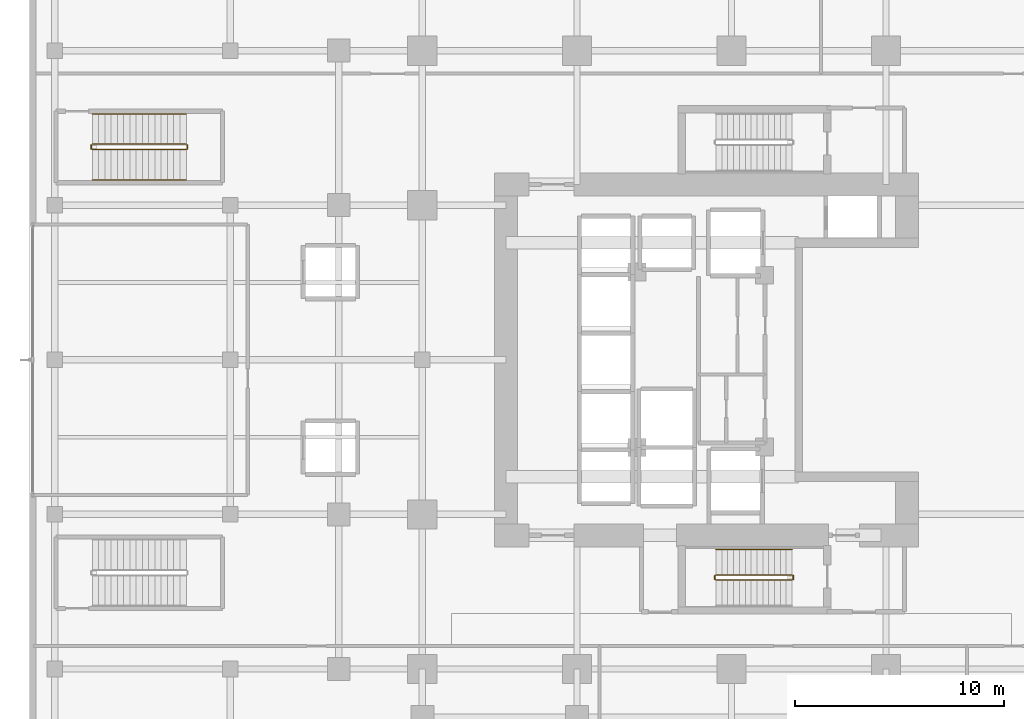
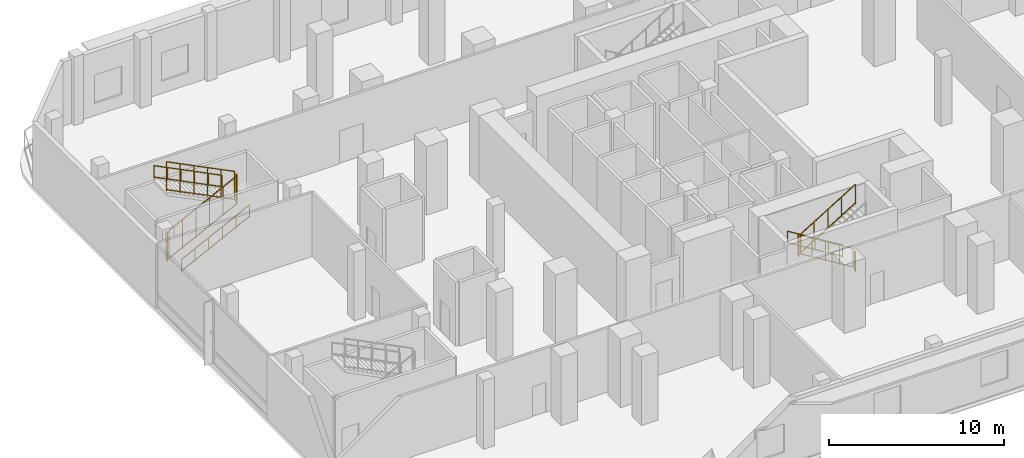
# One storey, part 16 of 19: 11 railings.
"""IFC4 building model written with IfcOpenShell, lengths in metres."""

from ifc_helpers import new_model, si_unit, direction, frame, origin, origin_2d, place, context, subcontext, project, spatial, rectangle, extrude, material, type_object, element, save


model = new_model("IFC4")

# Units and contexts
model_context = context("Model", 3, precision=1e-05, world=origin(), true_north=direction((0.0, 1.0)))
body_context = subcontext(model_context, "Body", "Model", "MODEL_VIEW")
ifc_project = project(units=[si_unit("LENGTHUNIT", "METRE"), si_unit("AREAUNIT", "SQUARE_METRE"), si_unit("VOLUMEUNIT", "CUBIC_METRE"), si_unit("PLANEANGLEUNIT", "RADIAN"), si_unit("MASSUNIT", "GRAM", prefix="KILO")], contexts=[model_context])

# Site, building, storey
site_placement = place(None, origin())
site = spatial("IfcSite", under=ifc_project, at=site_placement, CompositionType="ELEMENT")
building_placement = place(site_placement, origin())
building = spatial("IfcBuilding", under=site, at=building_placement, Name="Khorvyn Point Tower", CompositionType="ELEMENT")
storey_placement = place(building_placement, frame((0.0, 0.0, 21.60009765625)))
storey = spatial("IfcBuildingStorey", under=building, at=storey_placement, Name="L06", CompositionType="ELEMENT", Elevation=21.60009765625)

# Railings
ifc_material = material(Name="Stainless steel 1.4301", Category="steel")
railing_type_1 = type_object("IfcRailingType", Name="Stainless Steel 304 Stair Pitch Handrail 900", PredefinedType="HANDRAIL", material=ifc_material)
railing_1_placement = place(storey_placement, frame((2.89990234375, -9.070068359375, 0.17138671875)))
element("IfcRailing", 1, at=railing_1_placement, inside=storey, type_object=railing_type_1, Name="L06 ST-01 stair handrail 1", PredefinedType="HANDRAIL", context=body_context, shape_type="SweptSolid", body=[
    extrude(rectangle(XDim=0.048095703125, YDim=0.048095703125, at=origin_2d()), frame((0.0, 0.0, 0.8759765625), z_axis=(-0.852850264322, 0.0, 0.5221555579), x_axis=(0.0, -1.0, 0.0)), (0.0, 0.0, 1.0), 4.267822265625),
    extrude(rectangle(XDim=0.048095703125, YDim=0.048095703125, at=origin_2d()), frame((0.0, 0.0, 0.080078125), z_axis=(-0.852850264322, 0.0, 0.5221555579), x_axis=(0.0, -1.0, 0.0)), (0.0, 0.0, 1.0), 4.267822265625),
    extrude(rectangle(XDim=0.0419921875, YDim=0.0419921875, at=origin_2d()), origin(), (0.0, 0.0, 1.0), 0.851806640625),
    extrude(rectangle(XDim=0.0419921875, YDim=0.0419921875, at=origin_2d()), frame((-0.909912109375, 0.0, 0.55712890625)), (0.0, 0.0, 1.0), 0.851806640625),
    extrude(rectangle(XDim=0.0419921875, YDim=0.0419921875, at=origin_2d()), frame((-1.81982421875, 0.0, 1.1142578125)), (0.0, 0.0, 1.0), 0.851806640625),
    extrude(rectangle(XDim=0.0419921875, YDim=0.0419921875, at=origin_2d()), frame((-2.72998046875, 0.0, 1.67138671875)), (0.0, 0.0, 1.0), 0.851806640625),
    extrude(rectangle(XDim=0.0419921875, YDim=0.0419921875, at=origin_2d()), frame((-3.639892578125, 0.0, 2.228515625)), (0.0, 0.0, 1.0), 0.851806640625),
])
railing_2_placement = place(storey_placement, frame((-30.60009765625, 8.610107421875, 0.14990234375)))
element("IfcRailing", 2, at=railing_2_placement, inside=storey, type_object=railing_type_1, Name="L06 ST-S2 stair handrail 1", PredefinedType="HANDRAIL", context=body_context, shape_type="SweptSolid", body=[
    extrude(rectangle(XDim=0.048095703125, YDim=0.048095703125, at=origin_2d()), frame((0.0, 0.0, 0.8759765625), z_axis=(0.894427191, 0.0, 0.4472135955), x_axis=(0.0, 1.0, 0.0)), (0.0, 0.0, 1.0), 5.03125),
    extrude(rectangle(XDim=0.048095703125, YDim=0.048095703125, at=origin_2d()), frame((0.0, 0.0, 0.080078125), z_axis=(0.894427191, 0.0, 0.4472135955), x_axis=(0.0, 1.0, 0.0)), (0.0, 0.0, 1.0), 5.03125),
    extrude(rectangle(XDim=0.0419921875, YDim=0.0419921875, at=origin_2d()), origin(), (0.0, 0.0, 1.0), 0.851806640625),
    extrude(rectangle(XDim=0.0419921875, YDim=0.0419921875, at=origin_2d()), frame((0.89990234375, 0.0, 0.449951171875)), (0.0, 0.0, 1.0), 0.851806640625),
    extrude(rectangle(XDim=0.0419921875, YDim=0.0419921875, at=origin_2d()), frame((1.800048828125, 0.0, 0.89990234375)), (0.0, 0.0, 1.0), 0.851806640625),
    extrude(rectangle(XDim=0.0419921875, YDim=0.0419921875, at=origin_2d()), frame((2.699951171875, 0.0, 1.35009765625)), (0.0, 0.0, 1.0), 0.851806640625),
    extrude(rectangle(XDim=0.0419921875, YDim=0.0419921875, at=origin_2d()), frame((3.60009765625, 0.0, 1.800048828125)), (0.0, 0.0, 1.0), 0.851806640625),
    extrude(rectangle(XDim=0.0419921875, YDim=0.0419921875, at=origin_2d()), frame((4.5, 0.0, 2.25)), (0.0, 0.0, 1.0), 0.851806640625),
])
railing_3_placement = place(storey_placement, frame((-26.10009765625, 11.77001953125, 2.5498046875)))
element("IfcRailing", 3, at=railing_3_placement, inside=storey, type_object=railing_type_1, Name="L06 ST-S2 stair handrail 2", PredefinedType="HANDRAIL", context=body_context, shape_type="SweptSolid", body=[
    extrude(rectangle(XDim=0.048095703125, YDim=0.048095703125, at=origin_2d()), frame((0.0, 0.0, 0.8759765625), z_axis=(-0.894427191, 0.0, 0.4472135955), x_axis=(0.0, -1.0, 0.0)), (0.0, 0.0, 1.0), 5.03125),
    extrude(rectangle(XDim=0.048095703125, YDim=0.048095703125, at=origin_2d()), frame((0.0, 0.0, 0.080078125), z_axis=(-0.894427191, 0.0, 0.4472135955), x_axis=(0.0, -1.0, 0.0)), (0.0, 0.0, 1.0), 5.03125),
    extrude(rectangle(XDim=0.0419921875, YDim=0.0419921875, at=origin_2d()), origin(), (0.0, 0.0, 1.0), 0.851806640625),
    extrude(rectangle(XDim=0.0419921875, YDim=0.0419921875, at=origin_2d()), frame((-0.89990234375, 0.0, 0.449951171875)), (0.0, 0.0, 1.0), 0.851806640625),
    extrude(rectangle(XDim=0.0419921875, YDim=0.0419921875, at=origin_2d()), frame((-1.800048828125, 0.0, 0.89990234375)), (0.0, 0.0, 1.0), 0.851806640625),
    extrude(rectangle(XDim=0.0419921875, YDim=0.0419921875, at=origin_2d()), frame((-2.699951171875, 0.0, 1.35009765625)), (0.0, 0.0, 1.0), 0.851806640625),
    extrude(rectangle(XDim=0.0419921875, YDim=0.0419921875, at=origin_2d()), frame((-3.60009765625, 0.0, 1.800048828125)), (0.0, 0.0, 1.0), 0.851806640625),
    extrude(rectangle(XDim=0.0419921875, YDim=0.0419921875, at=origin_2d()), frame((-4.5, 0.0, 2.25)), (0.0, 0.0, 1.0), 0.851806640625),
])
railing_type_2 = type_object("IfcRailingType", Name="Stainless Steel 304 Stair Well Guardrail 1400", PredefinedType="GUARDRAIL", material=ifc_material)
railing_4_placement = place(storey_placement, frame((2.89990234375, -10.2900390625, 0.17138671875)))
element("IfcRailing", 4, at=railing_4_placement, inside=storey, type_object=railing_type_2, Name="L06 ST-01 stair guard 1", PredefinedType="GUARDRAIL", context=body_context, shape_type="SweptSolid", body=[
    extrude(rectangle(XDim=0.048095703125, YDim=0.048095703125, at=origin_2d()), frame((0.0, 0.0, 1.3759765625), z_axis=(-0.852850264322, 0.0, 0.5221555579), x_axis=(0.0, -1.0, 0.0)), (0.0, 0.0, 1.0), 4.267822265625),
    extrude(rectangle(XDim=0.048095703125, YDim=0.048095703125, at=origin_2d()), frame((0.0, 0.0, 0.080078125), z_axis=(-0.852850264322, 0.0, 0.5221555579), x_axis=(0.0, -1.0, 0.0)), (0.0, 0.0, 1.0), 4.267822265625),
    extrude(rectangle(XDim=0.0419921875, YDim=0.0419921875, at=origin_2d()), origin(), (0.0, 0.0, 1.0), 1.351806640625),
    extrude(rectangle(XDim=0.0419921875, YDim=0.0419921875, at=origin_2d()), frame((-0.909912109375, 0.0, 0.55712890625)), (0.0, 0.0, 1.0), 1.351806640625),
    extrude(rectangle(XDim=0.0419921875, YDim=0.0419921875, at=origin_2d()), frame((-1.81982421875, 0.0, 1.1142578125)), (0.0, 0.0, 1.0), 1.351806640625),
    extrude(rectangle(XDim=0.0419921875, YDim=0.0419921875, at=origin_2d()), frame((-2.72998046875, 0.0, 1.67138671875)), (0.0, 0.0, 1.0), 1.351806640625),
    extrude(rectangle(XDim=0.0419921875, YDim=0.0419921875, at=origin_2d()), frame((-3.639892578125, 0.0, 2.228515625)), (0.0, 0.0, 1.0), 1.351806640625),
])
railing_5_placement = place(storey_placement, frame((-0.7900390625, -10.340087890625, 2.39990234375)))
element("IfcRailing", 5, at=railing_5_placement, inside=storey, type_object=railing_type_2, Name="L06 ST-01 stair guard 2", PredefinedType="GUARDRAIL", context=body_context, shape_type="SweptSolid", body=[
    extrude(rectangle(XDim=0.048095703125, YDim=0.048095703125, at=origin_2d()), frame((0.0, 0.0, 1.3759765625), z_axis=(0.0, -1.0, 0.0), x_axis=(1.0, 0.0, 0.0)), (0.0, 0.0, 1.0), 0.159912109375),
    extrude(rectangle(XDim=0.048095703125, YDim=0.048095703125, at=origin_2d()), frame((0.0, 0.0, 0.080078125), z_axis=(0.0, -1.0, 0.0), x_axis=(1.0, 0.0, 0.0)), (0.0, 0.0, 1.0), 0.159912109375),
    extrude(rectangle(XDim=0.0419921875, YDim=0.0419921875, at=origin_2d()), origin(), (0.0, 0.0, 1.0), 1.351806640625),
    extrude(rectangle(XDim=0.0419921875, YDim=0.0419921875, at=origin_2d()), frame((0.0, -0.159912109375, 0.0)), (0.0, 0.0, 1.0), 1.351806640625),
])
railing_6_placement = place(storey_placement, frame((-0.739990234375, -10.550048828125, 2.5712890625)))
element("IfcRailing", 6, at=railing_6_placement, inside=storey, type_object=railing_type_2, Name="L06 ST-01 stair guard 3", PredefinedType="GUARDRAIL", context=body_context, shape_type="SweptSolid", body=[
    extrude(rectangle(XDim=0.048095703125, YDim=0.048095703125, at=origin_2d()), frame((0.0, 0.0, 1.3759765625), z_axis=(0.852850264322, 0.0, 0.5221555579), x_axis=(0.0, 1.0, 0.0)), (0.0, 0.0, 1.0), 4.267822265625),
    extrude(rectangle(XDim=0.048095703125, YDim=0.048095703125, at=origin_2d()), frame((0.0, 0.0, 0.080078125), z_axis=(0.852850264322, 0.0, 0.5221555579), x_axis=(0.0, 1.0, 0.0)), (0.0, 0.0, 1.0), 4.267822265625),
    extrude(rectangle(XDim=0.0419921875, YDim=0.0419921875, at=origin_2d()), origin(), (0.0, 0.0, 1.0), 1.351806640625),
    extrude(rectangle(XDim=0.0419921875, YDim=0.0419921875, at=origin_2d()), frame((0.909912109375, 0.0, 0.55712890625)), (0.0, 0.0, 1.0), 1.351806640625),
    extrude(rectangle(XDim=0.0419921875, YDim=0.0419921875, at=origin_2d()), frame((1.81982421875, 0.0, 1.1142578125)), (0.0, 0.0, 1.0), 1.351806640625),
    extrude(rectangle(XDim=0.0419921875, YDim=0.0419921875, at=origin_2d()), frame((2.72998046875, 0.0, 1.67138671875)), (0.0, 0.0, 1.0), 1.351806640625),
    extrude(rectangle(XDim=0.0419921875, YDim=0.0419921875, at=origin_2d()), frame((3.639892578125, 0.0, 2.228515625)), (0.0, 0.0, 1.0), 1.351806640625),
])
railing_7_placement = place(storey_placement, frame((2.949951171875, -10.340087890625, 0.0)))
element("IfcRailing", 7, at=railing_7_placement, inside=storey, type_object=railing_type_2, Name="L06 ST-01 stair guard 4", PredefinedType="GUARDRAIL", context=body_context, shape_type="SweptSolid", body=[
    extrude(rectangle(XDim=0.048095703125, YDim=0.048095703125, at=origin_2d()), frame((0.0, 0.0, 1.3759765625), z_axis=(0.0, -1.0, 0.0), x_axis=(1.0, 0.0, 0.0)), (0.0, 0.0, 1.0), 0.159912109375),
    extrude(rectangle(XDim=0.048095703125, YDim=0.048095703125, at=origin_2d()), frame((0.0, 0.0, 0.080078125), z_axis=(0.0, -1.0, 0.0), x_axis=(1.0, 0.0, 0.0)), (0.0, 0.0, 1.0), 0.159912109375),
    extrude(rectangle(XDim=0.0419921875, YDim=0.0419921875, at=origin_2d()), origin(), (0.0, 0.0, 1.0), 1.351806640625),
    extrude(rectangle(XDim=0.0419921875, YDim=0.0419921875, at=origin_2d()), frame((0.0, -0.159912109375, 0.0)), (0.0, 0.0, 1.0), 1.351806640625),
])
railing_8_placement = place(storey_placement, frame((-30.60009765625, 10.06005859375, 0.14990234375)))
element("IfcRailing", 8, at=railing_8_placement, inside=storey, type_object=railing_type_2, Name="L06 ST-S2 stair guard 1", PredefinedType="GUARDRAIL", context=body_context, shape_type="SweptSolid", body=[
    extrude(rectangle(XDim=0.048095703125, YDim=0.048095703125, at=origin_2d()), frame((0.0, 0.0, 2.02587890625), z_axis=(0.894427191, 0.0, 0.4472135955), x_axis=(0.0, 1.0, 0.0)), (0.0, 0.0, 1.0), 5.03125),
    extrude(rectangle(XDim=0.048095703125, YDim=0.048095703125, at=origin_2d()), frame((0.0, 0.0, 0.080078125), z_axis=(0.894427191, 0.0, 0.4472135955), x_axis=(0.0, 1.0, 0.0)), (0.0, 0.0, 1.0), 5.03125),
    extrude(rectangle(XDim=0.0419921875, YDim=0.0419921875, at=origin_2d()), origin(), (0.0, 0.0, 1.0), 2.001953125),
    extrude(rectangle(XDim=0.0419921875, YDim=0.0419921875, at=origin_2d()), frame((0.89990234375, 0.0, 0.449951171875)), (0.0, 0.0, 1.0), 2.001953125),
    extrude(rectangle(XDim=0.0419921875, YDim=0.0419921875, at=origin_2d()), frame((1.800048828125, 0.0, 0.89990234375)), (0.0, 0.0, 1.0), 2.001953125),
    extrude(rectangle(XDim=0.0419921875, YDim=0.0419921875, at=origin_2d()), frame((2.699951171875, 0.0, 1.35009765625)), (0.0, 0.0, 1.0), 2.001953125),
    extrude(rectangle(XDim=0.0419921875, YDim=0.0419921875, at=origin_2d()), frame((3.60009765625, 0.0, 1.800048828125)), (0.0, 0.0, 1.0), 2.001953125),
    extrude(rectangle(XDim=0.0419921875, YDim=0.0419921875, at=origin_2d()), frame((4.5, 0.0, 2.25)), (0.0, 0.0, 1.0), 2.001953125),
])
railing_9_placement = place(storey_placement, frame((-26.050048828125, 10.110107421875, 2.39990234375)))
element("IfcRailing", 9, at=railing_9_placement, inside=storey, type_object=railing_type_2, Name="L06 ST-S2 stair guard 2", PredefinedType="GUARDRAIL", context=body_context, shape_type="SweptSolid", body=[
    extrude(rectangle(XDim=0.048095703125, YDim=0.048095703125, at=origin_2d()), frame((0.0, 0.0, 2.02587890625), z_axis=(0.0, 1.0, 0.0), x_axis=(-1.0, 0.0, 0.0)), (0.0, 0.0, 1.0), 0.159912109375),
    extrude(rectangle(XDim=0.048095703125, YDim=0.048095703125, at=origin_2d()), frame((0.0, 0.0, 0.080078125), z_axis=(0.0, 1.0, 0.0), x_axis=(-1.0, 0.0, 0.0)), (0.0, 0.0, 1.0), 0.159912109375),
    extrude(rectangle(XDim=0.0419921875, YDim=0.0419921875, at=origin_2d()), origin(), (0.0, 0.0, 1.0), 2.001953125),
    extrude(rectangle(XDim=0.0419921875, YDim=0.0419921875, at=origin_2d()), frame((0.0, 0.159912109375, 0.0)), (0.0, 0.0, 1.0), 2.001953125),
])
railing_10_placement = place(storey_placement, frame((-26.10009765625, 10.320068359375, 2.5498046875)))
element("IfcRailing", 10, at=railing_10_placement, inside=storey, type_object=railing_type_2, Name="L06 ST-S2 stair guard 3", PredefinedType="GUARDRAIL", context=body_context, shape_type="SweptSolid", body=[
    extrude(rectangle(XDim=0.048095703125, YDim=0.048095703125, at=origin_2d()), frame((0.0, 0.0, 2.02587890625), z_axis=(-0.894427191, 0.0, 0.4472135955), x_axis=(0.0, -1.0, 0.0)), (0.0, 0.0, 1.0), 5.03125),
    extrude(rectangle(XDim=0.048095703125, YDim=0.048095703125, at=origin_2d()), frame((0.0, 0.0, 0.080078125), z_axis=(-0.894427191, 0.0, 0.4472135955), x_axis=(0.0, -1.0, 0.0)), (0.0, 0.0, 1.0), 5.03125),
    extrude(rectangle(XDim=0.0419921875, YDim=0.0419921875, at=origin_2d()), origin(), (0.0, 0.0, 1.0), 2.001953125),
    extrude(rectangle(XDim=0.0419921875, YDim=0.0419921875, at=origin_2d()), frame((-0.89990234375, 0.0, 0.449951171875)), (0.0, 0.0, 1.0), 2.001953125),
    extrude(rectangle(XDim=0.0419921875, YDim=0.0419921875, at=origin_2d()), frame((-1.800048828125, 0.0, 0.89990234375)), (0.0, 0.0, 1.0), 2.001953125),
    extrude(rectangle(XDim=0.0419921875, YDim=0.0419921875, at=origin_2d()), frame((-2.699951171875, 0.0, 1.35009765625)), (0.0, 0.0, 1.0), 2.001953125),
    extrude(rectangle(XDim=0.0419921875, YDim=0.0419921875, at=origin_2d()), frame((-3.60009765625, 0.0, 1.800048828125)), (0.0, 0.0, 1.0), 2.001953125),
    extrude(rectangle(XDim=0.0419921875, YDim=0.0419921875, at=origin_2d()), frame((-4.5, 0.0, 2.25)), (0.0, 0.0, 1.0), 2.001953125),
])
railing_11_placement = place(storey_placement, frame((-30.64990234375, 10.110107421875, 0.0)))
element("IfcRailing", 11, at=railing_11_placement, inside=storey, type_object=railing_type_2, Name="L06 ST-S2 stair guard 4", PredefinedType="GUARDRAIL", context=body_context, shape_type="SweptSolid", body=[
    extrude(rectangle(XDim=0.048095703125, YDim=0.048095703125, at=origin_2d()), frame((0.0, 0.0, 2.02587890625), z_axis=(0.0, 1.0, 0.0), x_axis=(-1.0, 0.0, 0.0)), (0.0, 0.0, 1.0), 0.159912109375),
    extrude(rectangle(XDim=0.048095703125, YDim=0.048095703125, at=origin_2d()), frame((0.0, 0.0, 0.080078125), z_axis=(0.0, 1.0, 0.0), x_axis=(-1.0, 0.0, 0.0)), (0.0, 0.0, 1.0), 0.159912109375),
    extrude(rectangle(XDim=0.0419921875, YDim=0.0419921875, at=origin_2d()), origin(), (0.0, 0.0, 1.0), 2.001953125),
    extrude(rectangle(XDim=0.0419921875, YDim=0.0419921875, at=origin_2d()), frame((0.0, 0.159912109375, 0.0)), (0.0, 0.0, 1.0), 2.001953125),
])

save(model, "model.ifc")
